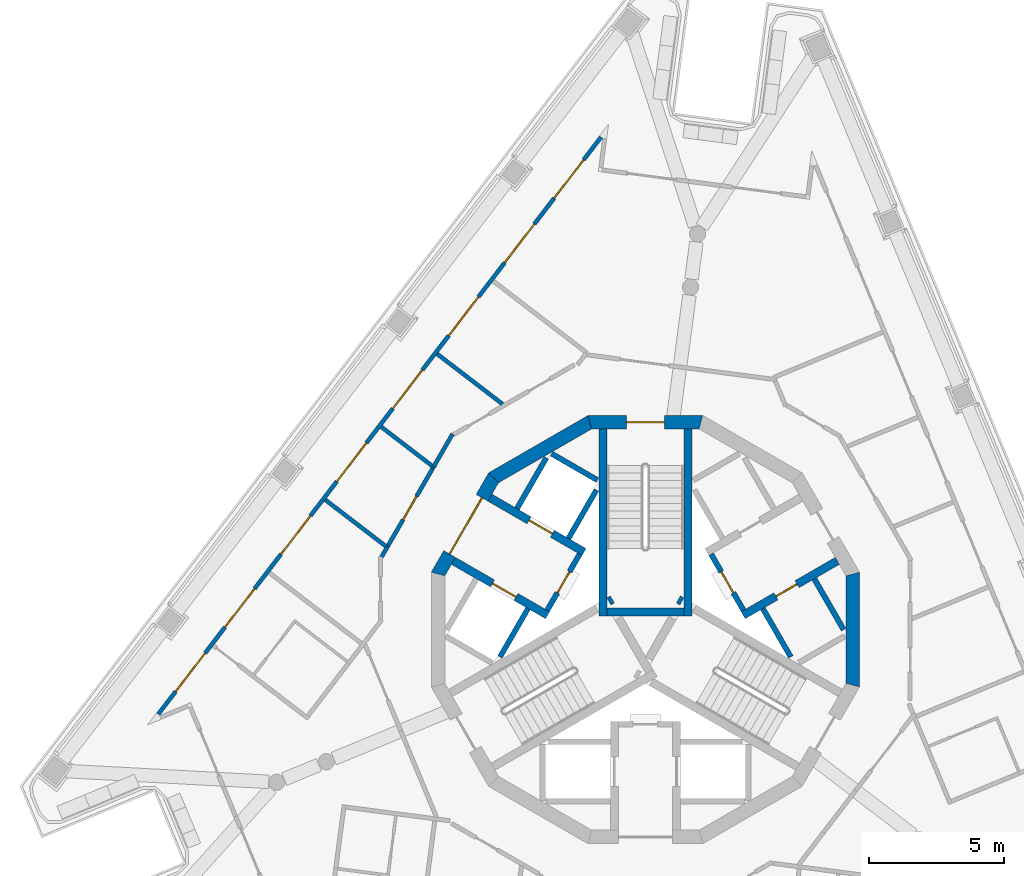
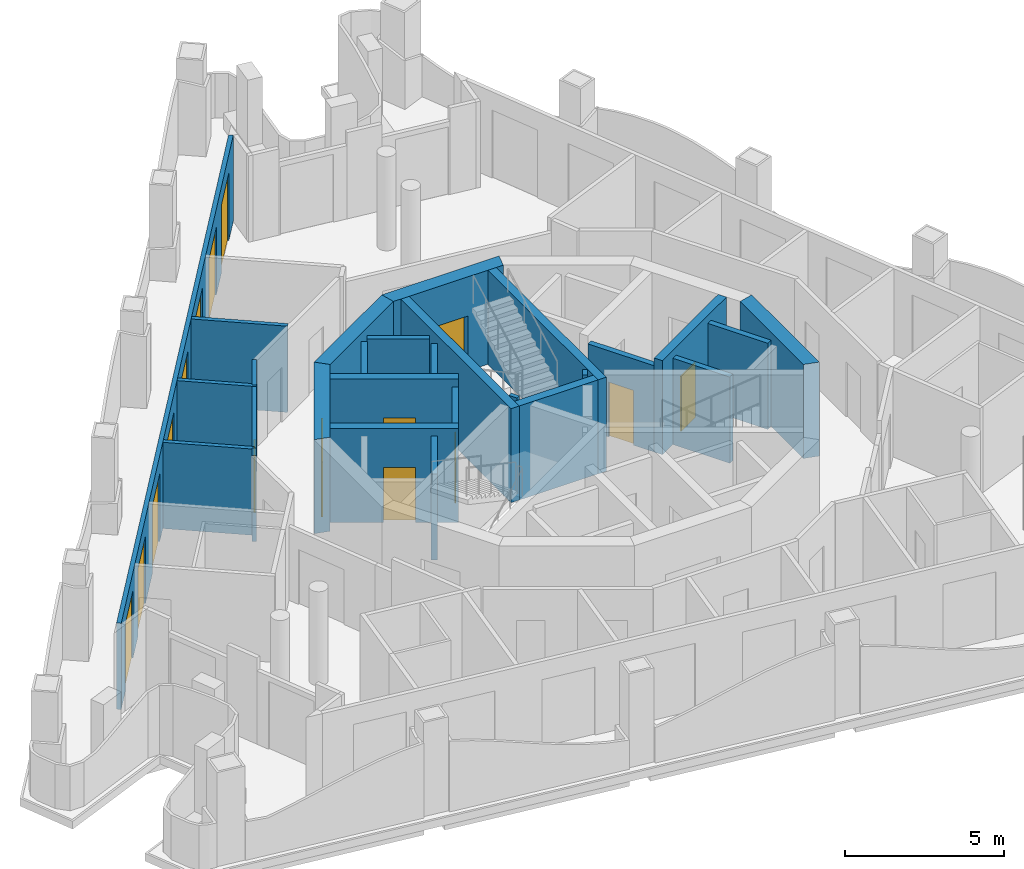
# One storey, part 4 of 12: 27 walls, 16 doors, 16 openings.
"""IFC4 building model written with IfcOpenShell, lengths in metres."""

from ifc_helpers import new_model, si_unit, direction, frame, frame_2d, origin, place, context, subcontext, project, spatial, polyline, rectangle, outline, extrude, material, layer, layer_set, type_object, element, fill, save


model = new_model("IFC4")

# Units and contexts
model_context = context("Model", 3, precision=1e-05, world=origin(), true_north=direction((0.0, 1.0)))
body_context = subcontext(model_context, "Body", "Model", "MODEL_VIEW")
ifc_project = project(units=[si_unit("LENGTHUNIT", "METRE"), si_unit("AREAUNIT", "SQUARE_METRE"), si_unit("VOLUMEUNIT", "CUBIC_METRE"), si_unit("PLANEANGLEUNIT", "RADIAN"), si_unit("MASSUNIT", "GRAM", prefix="KILO")], contexts=[model_context])

# Site, building, storey
site_placement = place(None, origin())
site = spatial("IfcSite", under=ifc_project, at=site_placement, CompositionType="ELEMENT")
building_placement = place(site_placement, origin())
building = spatial("IfcBuilding", under=site, at=building_placement, Name="Trine Commons Tower", CompositionType="ELEMENT")
storey_placement = place(building_placement, frame((0.0, 0.0, 275.39990234375)))
storey = spatial("IfcBuildingStorey", under=building, at=storey_placement, Name="L72", CompositionType="ELEMENT", Elevation=275.39990234375)

# Wall, openings, doors
ifc_material_1 = material(Name="Aluminium-framed insulated wall panel", Category="aluminium")
ifc_layer_1 = layer(ifc_material_1, 0.14990234375)
ifc_layer_set_1 = layer_set([ifc_layer_1], Name="Aluminium-framed insulated wall panel")
wall_type_1 = type_object("IfcWallType", Name="Glazed frame wall 150, EI 60", PredefinedType="SOLIDWALL", material=ifc_layer_set_1)
wall_1_placement = place(storey_placement, frame((61.8876953125, 59.251708984375, 0.0), z_axis=(0.0, 0.0, 1.0), x_axis=(0.608757974151, 0.793355991284, 0.0)))
wall_1 = element("IfcWall", 1, at=wall_1_placement, inside=storey, type_object=wall_type_1, Name="Glazed frame wall F1", PredefinedType="SOLIDWALL", context=body_context, shape_type="SweptSolid", body=[
    extrude(outline(polyline([(0.1494140625, 0.074951171875), (0.1494140625, -0.074951171875), (27.056884765625, -0.074951171875), (27.056884765625, 0.074951171875), (0.1494140625, 0.074951171875)])), origin(), (0.0, 0.0, 1.0), 3.300048828125),
])
opening_1_placement = place(wall_1_placement, frame((1.200439453125, 0.0, 0.0)))
opening_1 = element("IfcOpeningElement", 2, at=opening_1_placement, cuts=wall_1, Name="Opening BD-8F1-01", PredefinedType="OPENING", context=body_context, shape_type="SweptSolid", body=[
    extrude(rectangle(XDim=1.800048828125, YDim=2.60009765625, at=frame_2d((0.89990234375, 1.300048828125))), frame((0.0, 0.0849609375, 0.0), z_axis=(0.0, -1.0, 0.0), x_axis=(1.0, 0.0, 0.0)), (0.0, 0.0, 1.0), 0.169921875),
])
opening_2_placement = place(wall_1_placement, frame((4.201171875, 0.0, 0.0)))
opening_2 = element("IfcOpeningElement", 3, at=opening_2_placement, cuts=wall_1, Name="Opening BD-8F1-02", PredefinedType="OPENING", context=body_context, shape_type="SweptSolid", body=[
    extrude(rectangle(XDim=1.800048828125, YDim=2.60009765625, at=frame_2d((0.89990234375, 1.300048828125))), frame((0.0, 0.0849609375, 0.0), z_axis=(0.0, -1.0, 0.0), x_axis=(1.0, 0.0, 0.0)), (0.0, 0.0, 1.0), 0.169921875),
])
opening_3_placement = place(wall_1_placement, frame((7.60205078125, 0.0, 0.0)))
opening_3 = element("IfcOpeningElement", 4, at=opening_3_placement, cuts=wall_1, Name="Opening BD-8F1-03", PredefinedType="OPENING", context=body_context, shape_type="SweptSolid", body=[
    extrude(rectangle(XDim=1.800048828125, YDim=2.60009765625, at=frame_2d((0.89990234375, 1.300048828125))), frame((0.0, 0.0849609375, 0.0), z_axis=(0.0, -1.0, 0.0), x_axis=(1.0, 0.0, 0.0)), (0.0, 0.0, 1.0), 0.169921875),
])
opening_4_placement = place(wall_1_placement, frame((11.002685546875, 0.0, 0.0)))
opening_4 = element("IfcOpeningElement", 5, at=opening_4_placement, cuts=wall_1, Name="Opening BD-8F1-04", PredefinedType="OPENING", context=body_context, shape_type="SweptSolid", body=[
    extrude(rectangle(XDim=1.800048828125, YDim=2.60009765625, at=frame_2d((0.89990234375, 1.300048828125))), frame((0.0, 0.0849609375, 0.0), z_axis=(0.0, -1.0, 0.0), x_axis=(1.0, 0.0, 0.0)), (0.0, 0.0, 1.0), 0.169921875),
])
opening_5_placement = place(wall_1_placement, frame((14.403564453125, 0.0, 0.0)))
opening_5 = element("IfcOpeningElement", 6, at=opening_5_placement, cuts=wall_1, Name="Opening BD-8F1-05", PredefinedType="OPENING", context=body_context, shape_type="SweptSolid", body=[
    extrude(rectangle(XDim=1.800048828125, YDim=2.60009765625, at=frame_2d((0.89990234375, 1.300048828125))), frame((0.0, 0.0849609375, 0.0), z_axis=(0.0, -1.0, 0.0), x_axis=(1.0, 0.0, 0.0)), (0.0, 0.0, 1.0), 0.169921875),
])
opening_6_placement = place(wall_1_placement, frame((17.804443359375, 0.0, 0.0)))
opening_6 = element("IfcOpeningElement", 7, at=opening_6_placement, cuts=wall_1, Name="Opening BD-8F1-06", PredefinedType="OPENING", context=body_context, shape_type="SweptSolid", body=[
    extrude(rectangle(XDim=1.800048828125, YDim=2.60009765625, at=frame_2d((0.89990234375, 1.300048828125))), frame((0.0, 0.0849609375, 0.0), z_axis=(0.0, -1.0, 0.0), x_axis=(1.0, 0.0, 0.0)), (0.0, 0.0, 1.0), 0.169921875),
])
opening_7_placement = place(wall_1_placement, frame((21.205078125, 0.0, 0.0)))
opening_7 = element("IfcOpeningElement", 8, at=opening_7_placement, cuts=wall_1, Name="Opening BD-8F1-07", PredefinedType="OPENING", context=body_context, shape_type="SweptSolid", body=[
    extrude(rectangle(XDim=1.800048828125, YDim=2.60009765625, at=frame_2d((0.89990234375, 1.300048828125))), frame((0.0, 0.0849609375, 0.0), z_axis=(0.0, -1.0, 0.0), x_axis=(1.0, 0.0, 0.0)), (0.0, 0.0, 1.0), 0.169921875),
])
opening_8_placement = place(wall_1_placement, frame((24.2060546875, 0.0, 0.0)))
opening_8 = element("IfcOpeningElement", 9, at=opening_8_placement, cuts=wall_1, Name="Opening BD-8F1-08", PredefinedType="OPENING", context=body_context, shape_type="SweptSolid", body=[
    extrude(rectangle(XDim=1.800048828125, YDim=2.60009765625, at=frame_2d((0.89990234375, 1.300048828125))), frame((0.0, 0.0849609375, 0.0), z_axis=(0.0, -1.0, 0.0), x_axis=(1.0, 0.0, 0.0)), (0.0, 0.0, 1.0), 0.169921875),
])
ifc_material_2 = material(Name="Anodised aluminium frame with double glazing", Category="aluminium")
door_type_1 = type_object("IfcDoorType", Name="Sliding loggia door 1800x2600", OperationType="SLIDING_TO_LEFT", PredefinedType="DOOR", material=ifc_material_2)
door_1_placement = place(opening_1_placement, origin())
door_1 = element("IfcDoor", 10, at=door_1_placement, inside=storey, type_object=door_type_1, Name="Loggia door F1 1", OperationType="SLIDING_TO_LEFT", OverallHeight=2.60009765625, OverallWidth=1.800048828125, PredefinedType="DOOR", context=body_context, shape_type="SweptSolid", body=[
    extrude(rectangle(XDim=1.800048828125, YDim=2.60009765625, at=frame_2d((0.89990234375, 1.300048828125))), frame((0.0, 0.02490234375, 0.0), z_axis=(0.0, -1.0, 0.0), x_axis=(1.0, 0.0, 0.0)), (0.0, 0.0, 1.0), 0.050048828125),
])
fill(opening_1, door_1)
door_2_placement = place(opening_2_placement, origin())
door_2 = element("IfcDoor", 11, at=door_2_placement, inside=storey, type_object=door_type_1, Name="Loggia door F1 2", OperationType="SLIDING_TO_LEFT", OverallHeight=2.60009765625, OverallWidth=1.800048828125, PredefinedType="DOOR", context=body_context, shape_type="SweptSolid", body=[
    extrude(rectangle(XDim=1.800048828125, YDim=2.60009765625, at=frame_2d((0.89990234375, 1.300048828125))), frame((0.0, 0.02490234375, 0.0), z_axis=(0.0, -1.0, 0.0), x_axis=(1.0, 0.0, 0.0)), (0.0, 0.0, 1.0), 0.050048828125),
])
fill(opening_2, door_2)
door_3_placement = place(opening_3_placement, origin())
door_3 = element("IfcDoor", 12, at=door_3_placement, inside=storey, type_object=door_type_1, Name="Loggia door F1 3", OperationType="SLIDING_TO_LEFT", OverallHeight=2.60009765625, OverallWidth=1.800048828125, PredefinedType="DOOR", context=body_context, shape_type="SweptSolid", body=[
    extrude(rectangle(XDim=1.800048828125, YDim=2.60009765625, at=frame_2d((0.89990234375, 1.300048828125))), frame((0.0, 0.02490234375, 0.0), z_axis=(0.0, -1.0, 0.0), x_axis=(1.0, 0.0, 0.0)), (0.0, 0.0, 1.0), 0.050048828125),
])
fill(opening_3, door_3)
door_4_placement = place(opening_4_placement, origin())
door_4 = element("IfcDoor", 13, at=door_4_placement, inside=storey, type_object=door_type_1, Name="Loggia door F1 4", OperationType="SLIDING_TO_LEFT", OverallHeight=2.60009765625, OverallWidth=1.800048828125, PredefinedType="DOOR", context=body_context, shape_type="SweptSolid", body=[
    extrude(rectangle(XDim=1.800048828125, YDim=2.60009765625, at=frame_2d((0.89990234375, 1.300048828125))), frame((0.0, 0.02490234375, 0.0), z_axis=(0.0, -1.0, 0.0), x_axis=(1.0, 0.0, 0.0)), (0.0, 0.0, 1.0), 0.050048828125),
])
fill(opening_4, door_4)
door_5_placement = place(opening_5_placement, origin())
door_5 = element("IfcDoor", 14, at=door_5_placement, inside=storey, type_object=door_type_1, Name="Loggia door F1 5", OperationType="SLIDING_TO_LEFT", OverallHeight=2.60009765625, OverallWidth=1.800048828125, PredefinedType="DOOR", context=body_context, shape_type="SweptSolid", body=[
    extrude(rectangle(XDim=1.800048828125, YDim=2.60009765625, at=frame_2d((0.89990234375, 1.300048828125))), frame((0.0, 0.02490234375, 0.0), z_axis=(0.0, -1.0, 0.0), x_axis=(1.0, 0.0, 0.0)), (0.0, 0.0, 1.0), 0.050048828125),
])
fill(opening_5, door_5)
door_6_placement = place(opening_6_placement, origin())
door_6 = element("IfcDoor", 15, at=door_6_placement, inside=storey, type_object=door_type_1, Name="Loggia door F1 6", OperationType="SLIDING_TO_LEFT", OverallHeight=2.60009765625, OverallWidth=1.800048828125, PredefinedType="DOOR", context=body_context, shape_type="SweptSolid", body=[
    extrude(rectangle(XDim=1.800048828125, YDim=2.60009765625, at=frame_2d((0.89990234375, 1.300048828125))), frame((0.0, 0.02490234375, 0.0), z_axis=(0.0, -1.0, 0.0), x_axis=(1.0, 0.0, 0.0)), (0.0, 0.0, 1.0), 0.050048828125),
])
fill(opening_6, door_6)
door_7_placement = place(opening_7_placement, origin())
door_7 = element("IfcDoor", 16, at=door_7_placement, inside=storey, type_object=door_type_1, Name="Loggia door F1 7", OperationType="SLIDING_TO_LEFT", OverallHeight=2.60009765625, OverallWidth=1.800048828125, PredefinedType="DOOR", context=body_context, shape_type="SweptSolid", body=[
    extrude(rectangle(XDim=1.800048828125, YDim=2.60009765625, at=frame_2d((0.89990234375, 1.300048828125))), frame((0.0, 0.02490234375, 0.0), z_axis=(0.0, -1.0, 0.0), x_axis=(1.0, 0.0, 0.0)), (0.0, 0.0, 1.0), 0.050048828125),
])
fill(opening_7, door_7)
door_8_placement = place(opening_8_placement, origin())
door_8 = element("IfcDoor", 17, at=door_8_placement, inside=storey, type_object=door_type_1, Name="Loggia door F1 8", OperationType="SLIDING_TO_LEFT", OverallHeight=2.60009765625, OverallWidth=1.800048828125, PredefinedType="DOOR", context=body_context, shape_type="SweptSolid", body=[
    extrude(rectangle(XDim=1.800048828125, YDim=2.60009765625, at=frame_2d((0.89990234375, 1.300048828125))), frame((0.0, 0.02490234375, 0.0), z_axis=(0.0, -1.0, 0.0), x_axis=(1.0, 0.0, 0.0)), (0.0, 0.0, 1.0), 0.050048828125),
])
fill(opening_8, door_8)

# Wall, opening, door
ifc_material_3 = material(Name="Fire-rated gypsum shaft wall system")
ifc_layer_2 = layer(ifc_material_3, 0.199951171875)
ifc_layer_set_2 = layer_set([ifc_layer_2], Name="Fire-rated gypsum shaft wall system")
wall_type_2 = type_object("IfcWallType", Name="Lobby end wall 200 mm, EI 120", PredefinedType="PARTITIONING", material=ifc_layer_set_2)
wall_2_placement = place(storey_placement, frame((77.569091796875, 65.2890625, 0.0), z_axis=(0.0, 0.0, 1.0), x_axis=(-0.50012165622, -0.865955154139, 0.0)))
wall_2 = element("IfcWall", 18, at=wall_2_placement, inside=storey, type_object=wall_type_2, Name="Lobby end wall L72", PredefinedType="PARTITIONING", context=body_context, shape_type="SweptSolid", body=[
    extrude(rectangle(XDim=2.39990234375, YDim=0.199951171875, at=frame_2d((1.199951171875, 0.0))), origin(), (0.0, 0.0, 1.0), 3.300048828125),
])
opening_9_placement = place(wall_2_placement, frame((0.749755859375, 0.0, 0.0)))
opening_9 = element("IfcOpeningElement", 19, at=opening_9_placement, cuts=wall_2, Name="Opening K18.07", PredefinedType="OPENING", context=body_context, shape_type="SweptSolid", body=[
    extrude(rectangle(XDim=0.89990234375, YDim=2.10009765625, at=frame_2d((0.449951171875, 1.050048828125))), frame((0.0, 0.10986328125, 0.0), z_axis=(0.0, -1.0, 0.0), x_axis=(1.0, 0.0, 0.0)), (0.0, 0.0, 1.0), 0.219970703125),
])
ifc_material_4 = material(Name="Steel door leaf, fire-rated", Category="steel")
door_type_2 = type_object("IfcDoorType", Name="Riser access door, single leaf 900 x 2100, FD60", OperationType="SINGLE_SWING_LEFT", PredefinedType="DOOR", material=ifc_material_4)
door_9_placement = place(opening_9_placement, frame((0.89990234375, 0.0, 0.0), z_axis=(0.0, 0.0, 1.0), x_axis=(-1.0, 0.0, 0.0)))
door_9 = element("IfcDoor", 20, at=door_9_placement, inside=storey, type_object=door_type_2, Name="Riser door, Mechanical riser L72", OperationType="SINGLE_SWING_RIGHT", OverallHeight=2.10009765625, OverallWidth=0.89990234375, PredefinedType="DOOR", context=body_context, shape_type="SweptSolid", body=[
    extrude(rectangle(XDim=0.89990234375, YDim=2.10009765625, at=frame_2d((0.449951171875, 1.050048828125))), frame((0.0, 0.02490234375, 0.0), z_axis=(0.0, -1.0, 0.0), x_axis=(1.0, 0.0, 0.0)), (0.0, 0.0, 1.0), 0.050048828125),
])
fill(opening_9, door_9)

wall_3_placement = place(storey_placement, frame((83.631103515625, 63.2109375, 0.0), z_axis=(0.0, 0.0, 1.0), x_axis=(-0.50012165622, 0.865955154139, 0.0)))
wall_3 = element("IfcWall", 21, at=wall_3_placement, inside=storey, type_object=wall_type_2, Name="Lobby end wall L72", PredefinedType="PARTITIONING", context=body_context, shape_type="SweptSolid", body=[
    extrude(rectangle(XDim=2.39990234375, YDim=0.199951171875, at=frame_2d((1.199951171875, 0.0))), origin(), (0.0, 0.0, 1.0), 3.300048828125),
])
opening_10_placement = place(wall_3_placement, frame((0.749755859375, 0.0, 0.0)))
opening_10 = element("IfcOpeningElement", 22, at=opening_10_placement, cuts=wall_3, Name="Opening K18.05", PredefinedType="OPENING", context=body_context, shape_type="SweptSolid", body=[
    extrude(rectangle(XDim=0.89990234375, YDim=2.10009765625, at=frame_2d((0.449951171875, 1.050048828125))), frame((0.0, 0.10986328125, 0.0), z_axis=(0.0, -1.0, 0.0), x_axis=(1.0, 0.0, 0.0)), (0.0, 0.0, 1.0), 0.219970703125),
])
door_10_placement = place(opening_10_placement, frame((0.89990234375, 0.0, 0.0), z_axis=(0.0, 0.0, 1.0), x_axis=(-1.0, 0.0, 0.0)))
door_10 = element("IfcDoor", 23, at=door_10_placement, inside=storey, type_object=door_type_2, Name="Riser door, Electrical riser L72", OperationType="SINGLE_SWING_LEFT", OverallHeight=2.10009765625, OverallWidth=0.89990234375, PredefinedType="DOOR", context=body_context, shape_type="SweptSolid", body=[
    extrude(rectangle(XDim=0.89990234375, YDim=2.10009765625, at=frame_2d((0.449951171875, 1.050048828125))), frame((0.0, 0.02490234375, 0.0), z_axis=(0.0, -1.0, 0.0), x_axis=(1.0, 0.0, 0.0)), (0.0, 0.0, 1.0), 0.050048828125),
])
fill(opening_10, door_10)

ifc_material_5 = material(Name="Concrete C50/60", Category="concrete")
ifc_layer_3 = layer(ifc_material_5, 0.300048828125)
ifc_layer_set_3 = layer_set([ifc_layer_3], Name="Concrete C50/60")
wall_type_3 = type_object("IfcWallType", Name="RC shear wall 300 mm, C50/60", PredefinedType="SHEAR", material=ifc_layer_set_3)
wall_4_placement = place(storey_placement, frame((76.381103515625, 63.031005859375, 0.0), z_axis=(0.0, 0.0, 1.0), x_axis=(-0.866071331441, 0.499920442526, 0.0)))
wall_4 = element("IfcWall", 24, at=wall_4_placement, inside=storey, type_object=wall_type_3, Name="Core cross wall SWD-01 L72", PredefinedType="SHEAR", context=body_context, shape_type="SweptSolid", body=[
    extrude(rectangle(XDim=4.020751953125, YDim=0.300048828125, at=frame_2d((2.01025390625, 0.0))), origin(), (0.0, 0.0, 1.0), 3.60009765625),
])
opening_11_placement = place(wall_4_placement, frame((1.350341796875, 0.0, 0.0)))
opening_11 = element("IfcOpeningElement", 25, at=opening_11_placement, cuts=wall_4, Name="Opening LD7", PredefinedType="OPENING", context=body_context, shape_type="SweptSolid", body=[
    extrude(rectangle(XDim=1.0, YDim=2.10009765625, at=frame_2d((0.5, 1.050048828125))), frame((0.0, 0.159912109375, 0.0), z_axis=(0.0, -1.0, 0.0), x_axis=(1.0, 0.0, 0.0)), (0.0, 0.0, 1.0), 0.320068359375),
])
ifc_material_6 = material(Name="Stainless steel sliding door leaves", Category="steel")
door_type_3 = type_object("IfcDoorType", Name="Lift landing door, centre-opening sliding 1000 x 2100, FD90", OperationType="DOUBLE_DOOR_SLIDING", PredefinedType="DOOR", material=ifc_material_6)
door_11_placement = place(opening_11_placement, origin())
door_11 = element("IfcDoor", 26, at=door_11_placement, inside=storey, type_object=door_type_3, Name="Lift landing door HR3 L72", OperationType="DOUBLE_DOOR_SLIDING", OverallHeight=2.10009765625, OverallWidth=1.0, PredefinedType="DOOR", context=body_context, shape_type="SweptSolid", body=[
    extrude(rectangle(XDim=1.0, YDim=2.10009765625, at=frame_2d((0.5, 1.050048828125))), frame((0.0, 0.02490234375, 0.0), z_axis=(0.0, -1.0, 0.0), x_axis=(1.0, 0.0, 0.0)), (0.0, 0.0, 1.0), 0.050048828125),
])
fill(opening_11, door_11)

wall_5_placement = place(storey_placement, frame((77.73095703125, 65.368896484375, 0.0), z_axis=(0.0, 0.0, 1.0), x_axis=(-0.866056154689, 0.499946734088, 0.0)))
wall_5 = element("IfcWall", 27, at=wall_5_placement, inside=storey, type_object=wall_type_3, Name="Core cross wall SWD-02 L72", PredefinedType="SHEAR", context=body_context, shape_type="SweptSolid", body=[
    extrude(rectangle(XDim=4.0205078125, YDim=0.300048828125, at=frame_2d((2.01025390625, 0.0))), origin(), (0.0, 0.0, 1.0), 3.60009765625),
])
opening_12_placement = place(wall_5_placement, frame((1.350341796875, 0.0, 0.0)))
opening_12 = element("IfcOpeningElement", 28, at=opening_12_placement, cuts=wall_5, Name="Opening LD8", PredefinedType="OPENING", context=body_context, shape_type="SweptSolid", body=[
    extrude(rectangle(XDim=1.0, YDim=2.10009765625, at=frame_2d((0.5, 1.050048828125))), frame((0.0, 0.159912109375, 0.0), z_axis=(0.0, -1.0, 0.0), x_axis=(1.0, 0.0, 0.0)), (0.0, 0.0, 1.0), 0.320068359375),
])
door_12_placement = place(opening_12_placement, origin())
door_12 = element("IfcDoor", 29, at=door_12_placement, inside=storey, type_object=door_type_3, Name="Lift landing door HR4 L72", OperationType="DOUBLE_DOOR_SLIDING", OverallHeight=2.10009765625, OverallWidth=1.0, PredefinedType="DOOR", context=body_context, shape_type="SweptSolid", body=[
    extrude(rectangle(XDim=1.0, YDim=2.10009765625, at=frame_2d((0.5, 1.050048828125))), frame((0.0, 0.02490234375, 0.0), z_axis=(0.0, -1.0, 0.0), x_axis=(1.0, 0.0, 0.0)), (0.0, 0.0, 1.0), 0.050048828125),
])
fill(opening_12, door_12)

wall_6_placement = place(storey_placement, frame((83.618896484375, 63.031005859375, 0.0), z_axis=(0.0, 0.0, 1.0), x_axis=(0.866071331441, 0.499920442526, 0.0)))
wall_6 = element("IfcWall", 30, at=wall_6_placement, inside=storey, type_object=wall_type_3, Name="Core cross wall SWD-06 L72", PredefinedType="SHEAR", context=body_context, shape_type="SweptSolid", body=[
    extrude(rectangle(XDim=4.020751953125, YDim=0.300048828125, at=frame_2d((2.01025390625, 0.0))), origin(), (0.0, 0.0, 1.0), 3.60009765625),
])
opening_13_placement = place(wall_6_placement, frame((1.400390625, 0.0, 0.0)))
opening_13 = element("IfcOpeningElement", 31, at=opening_13_placement, cuts=wall_6, Name="Opening K18.11", PredefinedType="OPENING", context=body_context, shape_type="SweptSolid", body=[
    extrude(rectangle(XDim=0.89990234375, YDim=2.10009765625, at=frame_2d((0.449951171875, 1.050048828125))), frame((0.0, 0.159912109375, 0.0), z_axis=(0.0, -1.0, 0.0), x_axis=(1.0, 0.0, 0.0)), (0.0, 0.0, 1.0), 0.320068359375),
])
door_type_4 = type_object("IfcDoorType", Name="Core room door, single leaf 900 x 2100, FD30S", OperationType="SINGLE_SWING_LEFT", PredefinedType="DOOR", material=ifc_material_4)
door_13_placement = place(opening_13_placement, frame((0.89990234375, 0.0, 0.0), z_axis=(0.0, 0.0, 1.0), x_axis=(-1.0, 0.0, 0.0)))
door_13 = element("IfcDoor", 32, at=door_13_placement, inside=storey, type_object=door_type_4, Name="Door to Pantry L72", OperationType="SINGLE_SWING_LEFT", OverallHeight=2.10009765625, OverallWidth=0.89990234375, PredefinedType="DOOR", context=body_context, shape_type="SweptSolid", body=[
    extrude(rectangle(XDim=0.89990234375, YDim=2.10009765625, at=frame_2d((0.449951171875, 1.050048828125))), frame((0.0, 0.02490234375, 0.0), z_axis=(0.0, -1.0, 0.0), x_axis=(1.0, 0.0, 0.0)), (0.0, 0.0, 1.0), 0.050048828125),
])
fill(opening_13, door_13)

# Walls
wall_7_placement = place(storey_placement, frame((78.425048828125, 63.0009765625, 0.0), z_axis=(0.0, 0.0, 1.0), x_axis=(0.0, 1.0, 0.0)))
element("IfcWall", 33, at=wall_7_placement, inside=storey, type_object=wall_type_3, Name="Core cross wall SWD-08 L72", PredefinedType="SHEAR", context=body_context, shape_type="SweptSolid", body=[
    extrude(rectangle(XDim=6.919921875, YDim=0.300048828125, at=frame_2d((3.4599609375, 0.0))), origin(), (0.0, 0.0, 1.0), 3.60009765625),
])
for number, where, z_axis, x_axis, name in (
    (34, (78.779052734375, 63.614013671875, 0.0), (0.0, 0.0, 1.0), (-0.867737973955, -0.497021939713, 0.0), "Core cross wall SWD-09 L72"),
    (35, (81.220947265625, 63.614013671875, 0.0), (0.0, 0.0, 1.0), (0.867737973955, -0.497021939713, 0.0), "Core cross wall SWD-15 L72"),
):
    element("IfcWall", number, at=place(storey_placement, frame(where, z_axis=z_axis, x_axis=x_axis)), inside=storey, type_object=wall_type_3, Name=name, PredefinedType="SHEAR", context=body_context, shape_type="SweptSolid", body=[
        extrude(rectangle(XDim=0.14892578125, YDim=0.300048828125, at=frame_2d((0.074462890625, 0.0))), origin(), (0.0, 0.0, 1.0), 3.60009765625),
    ])
wall_8_placement = place(storey_placement, frame((81.425048828125, 63.15087890625, 0.0), z_axis=(0.0, 0.0, 1.0), x_axis=(-1.0, 0.0, 0.0)))
element("IfcWall", 36, at=wall_8_placement, inside=storey, type_object=wall_type_3, Name="Core cross wall SWD-16 L72", PredefinedType="SHEAR", context=body_context, shape_type="SweptSolid", body=[
    extrude(rectangle(XDim=2.85009765625, YDim=0.300048828125, at=frame_2d((1.425048828125, 0.0))), origin(), (0.0, 0.0, 1.0), 3.60009765625),
])
wall_9_placement = place(storey_placement, frame((81.574951171875, 63.0009765625, 0.0), z_axis=(0.0, 0.0, 1.0), x_axis=(0.0, 1.0, 0.0)))
element("IfcWall", 37, at=wall_9_placement, inside=storey, type_object=wall_type_3, Name="Core cross wall SWD-17 L72", PredefinedType="SHEAR", context=body_context, shape_type="SweptSolid", body=[
    extrude(rectangle(XDim=6.919921875, YDim=0.300048828125, at=frame_2d((3.4599609375, 0.0))), origin(), (0.0, 0.0, 1.0), 3.60009765625),
])
ifc_layer_4 = layer(ifc_material_5, 0.5)
ifc_layer_set_4 = layer_set([ifc_layer_4], Name="Concrete C50/60")
wall_type_4 = type_object("IfcWallType", Name="RC shear wall 500 mm, C50/60", PredefinedType="SHEAR", material=ifc_layer_set_4)
wall_10_placement = place(storey_placement, frame((87.670654296875, 60.377685546875, 0.0), z_axis=(0.0, 0.0, 1.0), x_axis=(0.0, 1.0, 0.0)))
element("IfcWall", 38, at=wall_10_placement, inside=storey, type_object=wall_type_4, Name="Core wall CWH-01 L72", PredefinedType="SHEAR", context=body_context, shape_type="SweptSolid", body=[
    extrude(outline(polyline([(0.0, -0.25), (4.24462890625, -0.25), (4.110595703125, 0.25), (0.134033203125, 0.25), (0.0, -0.25)])), origin(), (0.0, 0.0, 1.0), 3.60009765625),
])

# Wall, opening, door
wall_11_placement = place(storey_placement, frame((82.122314453125, 70.170654296875, 0.0), z_axis=(0.0, 0.0, 1.0), x_axis=(-1.0, 0.0, 0.0)))
wall_11 = element("IfcWall", 39, at=wall_11_placement, inside=storey, type_object=wall_type_4, Name="Core wall CWH-04 L72", PredefinedType="SHEAR", context=body_context, shape_type="SweptSolid", body=[
    extrude(outline(polyline([(0.0, -0.25), (4.24462890625, -0.25), (4.110595703125, 0.25), (0.134033203125, 0.25), (0.0, -0.25)])), origin(), (0.0, 0.0, 1.0), 3.60009765625),
])
opening_14_placement = place(wall_11_placement, frame((1.42236328125, 0.0, 0.0)))
opening_14 = element("IfcOpeningElement", 40, at=opening_14_placement, cuts=wall_11, Name="Opening K18.01", PredefinedType="OPENING", context=body_context, shape_type="SweptSolid", body=[
    extrude(rectangle(XDim=1.39990234375, YDim=2.10009765625, at=frame_2d((0.699951171875, 1.050048828125))), frame((0.0, 0.260009765625, 0.0), z_axis=(0.0, -1.0, 0.0), x_axis=(1.0, 0.0, 0.0)), (0.0, 0.0, 1.0), 0.52001953125),
])
ifc_material_7 = material(Name="Steel door leaves, fire-rated", Category="steel")
door_type_5 = type_object("IfcDoorType", Name="Stair door, double leaf 1400 x 2100, FD90", OperationType="DOUBLE_DOOR_SINGLE_SWING", PredefinedType="DOOR", material=ifc_material_7)
door_14_placement = place(opening_14_placement, origin())
door_14 = element("IfcDoor", 41, at=door_14_placement, inside=storey, type_object=door_type_5, Name="Stair door to Exit stair ST1D L72", OperationType="DOUBLE_DOOR_SINGLE_SWING", OverallHeight=2.10009765625, OverallWidth=1.39990234375, PredefinedType="DOOR", context=body_context, shape_type="SweptSolid", body=[
    extrude(rectangle(XDim=1.39990234375, YDim=2.10009765625, at=frame_2d((0.699951171875, 1.050048828125))), frame((0.0, 0.02490234375, 0.0), z_axis=(0.0, -1.0, 0.0), x_axis=(1.0, 0.0, 0.0)), (0.0, 0.0, 1.0), 0.050048828125),
])
fill(opening_14, door_14)

# Wall
wall_12_placement = place(storey_placement, frame((78.002685546875, 70.2041015625, 0.0), z_axis=(0.0, 0.0, 1.0), x_axis=(-0.866029463428, -0.499992968425, 0.0)))
element("IfcWall", 42, at=wall_12_placement, inside=storey, type_object=wall_type_4, Name="Core wall CWH-05 L72", PredefinedType="SHEAR", context=body_context, shape_type="SweptSolid", body=[
    extrude(outline(polyline([(0.0, -0.25), (4.24462890625, -0.25), (4.110595703125, 0.25), (0.134033203125, 0.25), (0.0, -0.25)])), origin(), (0.0, 0.0, 1.0), 3.60009765625),
])

# Wall, opening, door
wall_13_placement = place(storey_placement, frame((74.418212890625, 68.17333984375, 0.0), z_axis=(0.0, 0.0, 1.0), x_axis=(-0.499992968425, -0.866029463428, 0.0)))
wall_13 = element("IfcWall", 43, at=wall_13_placement, inside=storey, type_object=wall_type_4, Name="Core wall CWH-06 L72", PredefinedType="SHEAR", context=body_context, shape_type="SweptSolid", body=[
    extrude(outline(polyline([(0.0, -0.25), (4.24462890625, -0.25), (4.110595703125, 0.25), (0.134033203125, 0.25), (0.0, -0.25)])), origin(), (0.0, 0.0, 1.0), 3.60009765625),
])
opening_15_placement = place(wall_13_placement, frame((0.92236328125, 0.0, 0.0)))
opening_15 = element("IfcOpeningElement", 44, at=opening_15_placement, cuts=wall_13, Name="Opening K18.06", PredefinedType="OPENING", context=body_context, shape_type="SweptSolid", body=[
    extrude(rectangle(XDim=2.39990234375, YDim=2.10009765625, at=frame_2d((1.199951171875, 1.050048828125))), frame((0.0, 0.260009765625, 0.0), z_axis=(0.0, -1.0, 0.0), x_axis=(1.0, 0.0, 0.0)), (0.0, 0.0, 1.0), 0.52001953125),
])
door_type_6 = type_object("IfcDoorType", Name="Lobby door, double leaf 2400 x 2100, FD60", OperationType="DOUBLE_DOOR_SINGLE_SWING", PredefinedType="DOOR", material=ifc_material_7)
door_15_placement = place(opening_15_placement, origin())
door_15 = element("IfcDoor", 45, at=door_15_placement, inside=storey, type_object=door_type_6, Name="Lobby door, Passenger lift lobby B L72", OperationType="DOUBLE_DOOR_SINGLE_SWING", OverallHeight=2.10009765625, OverallWidth=2.39990234375, PredefinedType="DOOR", context=body_context, shape_type="SweptSolid", body=[
    extrude(rectangle(XDim=2.39990234375, YDim=2.10009765625, at=frame_2d((1.199951171875, 1.050048828125))), frame((0.0, 0.02490234375, 0.0), z_axis=(0.0, -1.0, 0.0), x_axis=(1.0, 0.0, 0.0)), (0.0, 0.0, 1.0), 0.050048828125),
])
fill(opening_15, door_15)

# Walls
ifc_layer_5 = layer(ifc_material_3, 0.199951171875)
ifc_layer_set_5 = layer_set([ifc_layer_5], Name="Fire-rated gypsum shaft wall system")
wall_type_5 = type_object("IfcWallType", Name="Shaft wall 200 mm, EI 120", PredefinedType="PARTITIONING", material=ifc_layer_set_5)
wall_14_placement = place(storey_placement, frame((75.2509765625, 66.97412109375, 0.0), z_axis=(0.0, 0.0, 1.0), x_axis=(0.500060114735, 0.865990693744, 0.0)))
element("IfcWall", 46, at=wall_14_placement, inside=storey, type_object=wall_type_5, Name="Shaft wall L72", PredefinedType="PARTITIONING", context=body_context, shape_type="SweptSolid", body=[
    extrude(rectangle(XDim=2.169677734375, YDim=0.199951171875, at=frame_2d((1.0849609375, 0.0))), origin(), (0.0, 0.0, 1.0), 3.300048828125),
])
wall_15_placement = place(storey_placement, frame((75.656005859375, 63.27587890625, 0.0), z_axis=(0.0, 0.0, 1.0), x_axis=(-0.500271688072, -0.86586848777, 0.0)))
element("IfcWall", 47, at=wall_15_placement, inside=storey, type_object=wall_type_5, Name="Shaft wall L72", PredefinedType="PARTITIONING", context=body_context, shape_type="SweptSolid", body=[
    extrude(rectangle(XDim=2.064697265625, YDim=0.199951171875, at=frame_2d((1.0322265625, 0.0))), origin(), (0.0, 0.0, 1.0), 3.300048828125),
])
wall_16_placement = place(storey_placement, frame((77.156005859375, 65.8740234375, 0.0), z_axis=(0.0, 0.0, 1.0), x_axis=(0.499865770674, 0.866102887253, 0.0)))
element("IfcWall", 48, at=wall_16_placement, inside=storey, type_object=wall_type_5, Name="Shaft wall L72", PredefinedType="PARTITIONING", context=body_context, shape_type="SweptSolid", body=[
    extrude(rectangle(XDim=2.064453125, YDim=0.199951171875, at=frame_2d((1.0322265625, 0.0))), origin(), (0.0, 0.0, 1.0), 3.300048828125),
])
wall_17_placement = place(storey_placement, frame((78.22509765625, 68.028076171875, 0.0), z_axis=(0.0, 0.0, 1.0), x_axis=(-0.866071410914, 0.499920304846, 0.0)))
element("IfcWall", 49, at=wall_17_placement, inside=storey, type_object=wall_type_5, Name="Shaft wall L72", PredefinedType="PARTITIONING", context=body_context, shape_type="SweptSolid", body=[
    extrude(rectangle(XDim=1.958251953125, YDim=0.199951171875, at=frame_2d((0.97900390625, 0.0))), origin(), (0.0, 0.0, 1.0), 3.300048828125),
])
wall_18_placement = place(storey_placement, frame((84.343994140625, 63.27587890625, 0.0), z_axis=(0.0, 0.0, 1.0), x_axis=(0.500271688072, -0.86586848777, 0.0)))
element("IfcWall", 50, at=wall_18_placement, inside=storey, type_object=wall_type_5, Name="Shaft wall L72", PredefinedType="PARTITIONING", context=body_context, shape_type="SweptSolid", body=[
    extrude(rectangle(XDim=2.064697265625, YDim=0.199951171875, at=frame_2d((1.0322265625, 0.0))), origin(), (0.0, 0.0, 1.0), 3.300048828125),
])
wall_19_placement = place(storey_placement, frame((86.2490234375, 64.3759765625, 0.0), z_axis=(0.0, 0.0, 1.0), x_axis=(0.499865263774, -0.866103179807, 0.0)))
element("IfcWall", 51, at=wall_19_placement, inside=storey, type_object=wall_type_5, Name="Shaft wall L72", PredefinedType="PARTITIONING", context=body_context, shape_type="SweptSolid", body=[
    extrude(rectangle(XDim=2.17041015625, YDim=0.199951171875, at=frame_2d((1.085205078125, 0.0))), origin(), (0.0, 0.0, 1.0), 3.300048828125),
])
ifc_material_8 = material(Name="Gypsum plasterboard on steel stud", Category="steel")
ifc_layer_6 = layer(ifc_material_8, 0.14990234375)
ifc_layer_set_6 = layer_set([ifc_layer_6], Name="Gypsum plasterboard on steel stud")
wall_type_6 = type_object("IfcWallType", Name="Unit and corridor wall 150 mm, EI 60", PredefinedType="PARTITIONING", material=ifc_layer_set_6)
wall_20_placement = place(storey_placement, frame((68.15771484375, 67.300537109375, 0.0), z_axis=(0.0, 0.0, 1.0), x_axis=(0.793362540986, -0.608749438242, 0.0)))
element("IfcWall", 52, at=wall_20_placement, inside=storey, type_object=wall_type_6, Name="Partition 006", PredefinedType="PARTITIONING", context=body_context, shape_type="SweptSolid", body=[
    extrude(rectangle(XDim=2.885498046875, YDim=0.14990234375, at=frame_2d((1.44287109375, 0.0))), origin(), (0.0, 0.0, 1.0), 3.300048828125),
])
wall_21_placement = place(storey_placement, frame((70.228759765625, 69.99853515625, 0.0), z_axis=(0.0, 0.0, 1.0), x_axis=(0.793302775826, -0.608827320237, 0.0)))
element("IfcWall", 53, at=wall_21_placement, inside=storey, type_object=wall_type_6, Name="Partition 013", PredefinedType="PARTITIONING", context=body_context, shape_type="SweptSolid", body=[
    extrude(rectangle(XDim=2.511962890625, YDim=0.14990234375, at=frame_2d((1.255859375, 0.0))), origin(), (0.0, 0.0, 1.0), 3.300048828125),
])
wall_22_placement = place(storey_placement, frame((70.241455078125, 65.18994140625, 0.0), z_axis=(0.0, 0.0, 1.0), x_axis=(0.499569084189, 0.866274050242, 0.0)))
element("IfcWall", 54, at=wall_22_placement, inside=storey, type_object=wall_type_6, Name="Partition 015", PredefinedType="PARTITIONING", context=body_context, shape_type="SweptSolid", body=[
    extrude(rectangle(XDim=0.413330078125, YDim=0.14990234375, at=frame_2d((0.20654296875, 0.0))), origin(), (0.0, 0.0, 1.0), 3.300048828125),
])

# Wall, opening, door
wall_23_placement = place(storey_placement, frame((70.444091796875, 65.541015625, 0.0), z_axis=(0.0, 0.0, 1.0), x_axis=(0.50001992892, 0.866013897511, 0.0)))
wall_23 = element("IfcWall", 55, at=wall_23_placement, inside=storey, type_object=wall_type_6, Name="Partition 016", PredefinedType="PARTITIONING", context=body_context, shape_type="SweptSolid", body=[
    extrude(rectangle(XDim=3.362548828125, YDim=0.14990234375, at=frame_2d((1.68115234375, 0.0))), origin(), (0.0, 0.0, 1.0), 3.300048828125),
])
opening_16_placement = place(wall_23_placement, frame((1.183349609375, 0.0, 0.0)))
opening_16 = element("IfcOpeningElement", 56, at=opening_16_placement, cuts=wall_23, Name="Opening D-8A06", PredefinedType="OPENING", context=body_context, shape_type="SweptSolid", body=[
    extrude(rectangle(XDim=1.0, YDim=2.10009765625, at=frame_2d((0.5, 1.050048828125))), frame((0.0, 0.0849609375, 0.0), z_axis=(0.0, -1.0, 0.0), x_axis=(1.0, 0.0, 0.0)), (0.0, 0.0, 1.0), 0.169921875),
])
ifc_material_9 = material(Name="Painted timber", Category="wood")
door_type_7 = type_object("IfcDoorType", Name="Toilet door 1000 x 2100, NOT RATED", OperationType="NOTDEFINED", PredefinedType="DOOR", material=ifc_material_9)
door_16_placement = place(opening_16_placement, origin())
door_16 = element("IfcDoor", 57, at=door_16_placement, inside=storey, type_object=door_type_7, Name="Door D-8A06", OperationType="SINGLE_SWING_RIGHT", OverallHeight=2.10009765625, OverallWidth=1.0, PredefinedType="DOOR", context=body_context, shape_type="SweptSolid", body=[
    extrude(rectangle(XDim=1.0, YDim=2.10009765625, at=frame_2d((0.5, 1.050048828125))), frame((0.0, 0.02490234375, 0.0), z_axis=(0.0, -1.0, 0.0), x_axis=(1.0, 0.0, 0.0)), (0.0, 0.0, 1.0), 0.050048828125),
])
fill(opening_16, door_16)

# Walls
wall_24_placement = place(storey_placement, frame((72.159912109375, 68.511962890625, 0.0), z_axis=(0.0, 0.0, 1.0), x_axis=(0.499891918698, 0.866087795561, 0.0)))
element("IfcWall", 58, at=wall_24_placement, inside=storey, type_object=wall_type_6, Name="Partition 021", PredefinedType="PARTITIONING", context=body_context, shape_type="SweptSolid", body=[
    extrude(rectangle(XDim=1.413330078125, YDim=0.14990234375, at=frame_2d((0.70654296875, 0.0))), origin(), (0.0, 0.0, 1.0), 3.300048828125),
])
wall_25_placement = place(storey_placement, frame((72.298583984375, 72.696533203125, 0.0), z_axis=(0.0, 0.0, 1.0), x_axis=(0.793299429492, -0.60883168049, 0.0)))
element("IfcWall", 59, at=wall_25_placement, inside=storey, type_object=wall_type_6, Name="Partition 022", PredefinedType="PARTITIONING", context=body_context, shape_type="SweptSolid", body=[
    extrude(rectangle(XDim=3.048095703125, YDim=0.14990234375, at=frame_2d((1.52392578125, 0.0))), origin(), (0.0, 0.0, 1.0), 3.300048828125),
])

save(model, "model.ifc")
